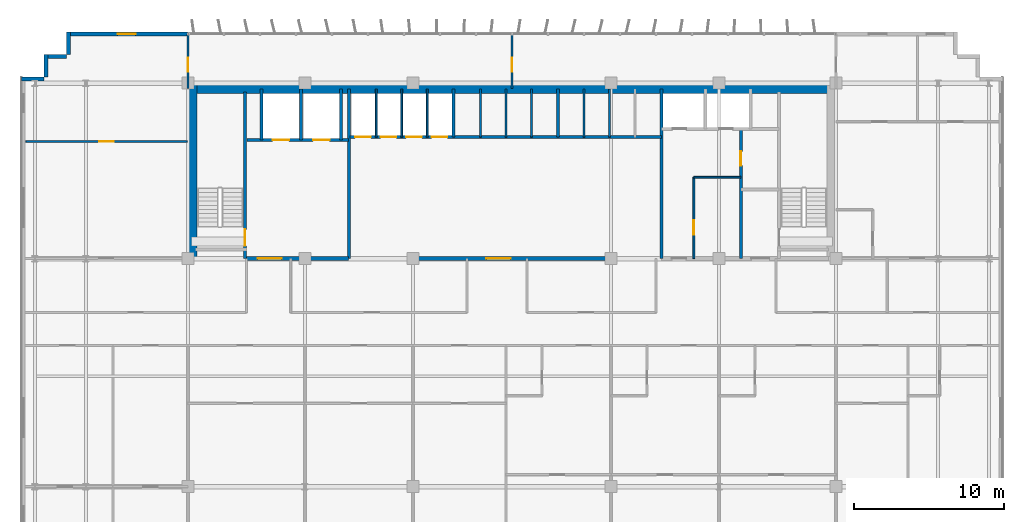
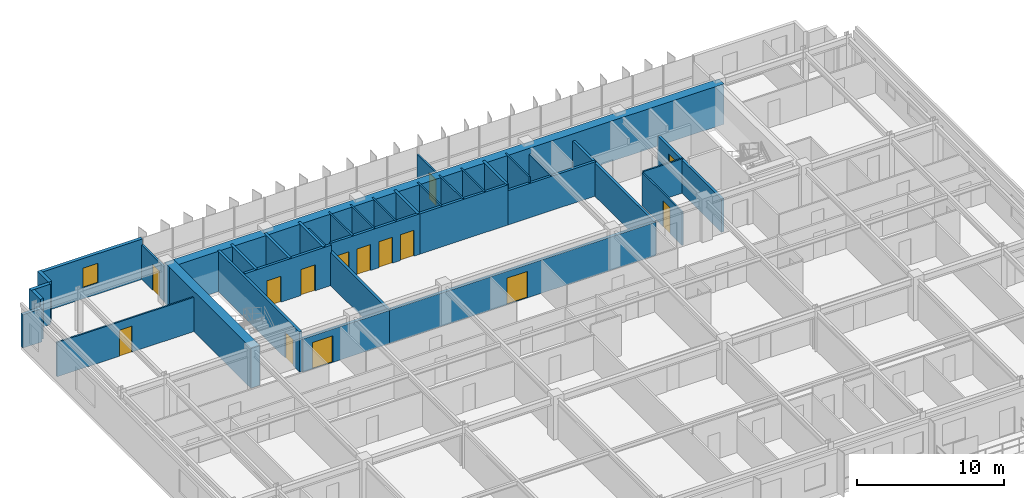
# One storey, part 17 of 22: 35 walls, 14 doors, 1 window, 15 openings.
"""IFC4 building model written with IfcOpenShell, lengths in metres."""

from ifc_helpers import new_model, si_unit, direction, frame, frame_2d, origin, place, context, subcontext, project, spatial, rectangle, extrude, source, transform, mapped, material, layer, layer_set, type_object, element, fill, save


model = new_model("IFC4")

# Units and contexts
model_context = context("Model", 3, precision=1e-05, world=origin(), true_north=direction((0.0, 1.0)))
body_context = subcontext(model_context, "Body", "Model", "MODEL_VIEW")
ifc_project = project(units=[si_unit("LENGTHUNIT", "METRE"), si_unit("AREAUNIT", "SQUARE_METRE"), si_unit("VOLUMEUNIT", "CUBIC_METRE"), si_unit("PLANEANGLEUNIT", "RADIAN"), si_unit("MASSUNIT", "GRAM", prefix="KILO")], contexts=[model_context])

# Site, building, storey
site_placement = place(None, origin())
site = spatial("IfcSite", under=ifc_project, at=site_placement, CompositionType="ELEMENT")
building_placement = place(site_placement, origin())
building = spatial("IfcBuilding", under=site, at=building_placement, Name="Trelvane Seafront Commons", CompositionType="ELEMENT")
storey_placement = place(building_placement, frame((0.0, 0.0, 88.89990234375)))
storey = spatial("IfcBuildingStorey", under=building, at=storey_placement, Name="L22", CompositionType="ELEMENT", Elevation=88.89990234375)

# Wall, opening, window
ifc_material_1 = material(Name="Precast concrete C40/50", Category="concrete")
ifc_layer_1 = layer(ifc_material_1, 0.260009765625, Name="ARCH-WALL-EXT260")
ifc_layer_set_1 = layer_set([ifc_layer_1], Name="Precast concrete C40/50")
wall_type_1 = type_object("IfcWallType", Name="ARCH-WALL-EXT260", PredefinedType="SOLIDWALL", material=ifc_layer_set_1)
wall_1_placement = place(storey_placement, frame((7.60009765625, 48.3701171875, 0.0), z_axis=(0.0, 0.0, 1.0), x_axis=(1.0, 0.0, 0.0)))
wall_1 = element("IfcWall", 1, at=wall_1_placement, inside=storey, type_object=wall_type_1, Name="EW-L22-NW-0391", PredefinedType="SOLIDWALL", context=body_context, shape_type="SweptSolid", body=[
    extrude(rectangle(XDim=8.0, YDim=0.260009765625, at=frame_2d((4.0, 0.0))), origin(), (0.0, 0.0, 1.0), 3.340087890625),
])
opening_1_placement = place(wall_1_placement, frame((3.30810546875, 0.0, 0.89990234375)))
opening_1 = element("IfcOpeningElement", 2, at=opening_1_placement, cuts=wall_1, Name="Opening W05", PredefinedType="OPENING", context=body_context, shape_type="SweptSolid", body=[
    extrude(rectangle(XDim=1.199951171875, YDim=1.64990234375, at=frame_2d((0.60009765625, 0.824951171875))), frame((0.0, 0.139892578125, 0.0), z_axis=(0.0, -1.0, 0.0), x_axis=(1.0, 0.0, 0.0)), (0.0, 0.0, 1.0), 0.280029296875),
])
ifc_material_2 = material(Name="Low-E coastal double glazing", Category="glass")
window_type = type_object("IfcWindowType", Name="ARCH-WIN-W05", PartitioningType="SINGLE_PANEL", PredefinedType="WINDOW", material=ifc_material_2)
shared_shape_1 = source(origin(), body_context, "Body", "SweptSolid", [
    extrude(rectangle(XDim=1.199951171875, YDim=1.64990234375, at=frame_2d((0.60009765625, 0.824951171875))), frame((0.0, 0.030029296875, 0.0), z_axis=(0.0, -1.0, 0.0), x_axis=(1.0, 0.0, 0.0)), (0.0, 0.0, 1.0), 0.06005859375),
])
window_placement = place(opening_1_placement, origin())
window = element("IfcWindow", 3, at=window_placement, inside=storey, type_object=window_type, Name="WIN-L22-00449", OverallHeight=1.64990234375, OverallWidth=1.199951171875, PartitioningType="SINGLE_PANEL", PredefinedType="WINDOW", context=body_context, shape_type="MappedRepresentation", body=[
    mapped(shared_shape_1, transform((0.0, 0.0, 0.0), x_axis=(1.0, 0.0, 0.0), y_axis=(0.0, 1.0, 0.0), z_axis=(0.0, 0.0, 1.0), scale=1.0)),
])
fill(opening_1, window)

# Walls
wall_2_placement = place(storey_placement, frame((4.5, 45.3701171875, 0.0), z_axis=(0.0, 0.0, 1.0), x_axis=(1.0, 0.0, 0.0)))
element("IfcWall", 4, at=wall_2_placement, inside=storey, type_object=wall_type_1, Name="EW-L22-00397", PredefinedType="SOLIDWALL", context=body_context, shape_type="SweptSolid", body=[
    extrude(rectangle(XDim=1.5, YDim=0.260009765625, at=frame_2d((0.75, 0.0))), origin(), (0.0, 0.0, 1.0), 2.752197265625),
])
for number, where, z_axis, x_axis, name in (
    (5, (6.1298828125, 45.5, 0.0), (0.0, 0.0, 1.0), (0.0, 1.0, 0.0), "EW-L22-00398"),
    (6, (6.0, 46.8701171875, 0.0), (0.0, 0.0, 1.0), (1.0, 0.0, 0.0), "EW-L22-00399"),
    (7, (7.6298828125, 47.0, 0.0), (0.0, 0.0, 1.0), (0.0, 1.0, 0.0), "EW-L22-00400"),
):
    element("IfcWall", number, at=place(storey_placement, frame(where, z_axis=z_axis, x_axis=x_axis)), inside=storey, type_object=wall_type_1, Name=name, PredefinedType="SOLIDWALL", context=body_context, shape_type="SweptSolid", body=[
        extrude(rectangle(XDim=1.5, YDim=0.260009765625, at=frame_2d((0.75, 0.0))), origin(), (0.0, 0.0, 1.0), 3.340087890625),
    ])

# Wall, opening, door
ifc_material_3 = material(Name="Concrete C40/50", Category="concrete")
ifc_layer_2 = layer(ifc_material_3, 0.199951171875, Name="ARCH-WALL-FIRE200")
ifc_layer_set_2 = layer_set([ifc_layer_2], Name="Concrete C40/50")
wall_type_2 = type_object("IfcWallType", Name="ARCH-WALL-FIRE200", PredefinedType="PARTITIONING", material=ifc_layer_set_2)
wall_3_placement = place(storey_placement, frame((52.449951171875, 33.39990234375, 0.0), z_axis=(0.0, 0.0, 1.0), x_axis=(0.0, 1.0, 0.0)))
wall_3 = element("IfcWall", 8, at=wall_3_placement, inside=storey, type_object=wall_type_2, Name="W-L22-ST2V-W-033", PredefinedType="PARTITIONING", context=body_context, shape_type="SweptSolid", body=[
    extrude(rectangle(XDim=8.650146484375, YDim=0.199951171875, at=frame_2d((4.3251953125, 0.0))), origin(), (0.0, 0.0, 1.0), 2.752197265625),
])
opening_2_placement = place(wall_3_placement, frame((6.199951171875, 0.0, 0.0)))
opening_2 = element("IfcOpeningElement", 9, at=opening_2_placement, cuts=wall_3, Name="Opening FD-L22-13", PredefinedType="OPENING", context=body_context, shape_type="SweptSolid", body=[
    extrude(rectangle(XDim=0.949951171875, YDim=2.14990234375, at=frame_2d((0.47509765625, 1.074951171875))), frame((0.0, 0.10986328125, 0.0), z_axis=(0.0, -1.0, 0.0), x_axis=(1.0, 0.0, 0.0)), (0.0, 0.0, 1.0), 0.219970703125),
])
ifc_material_4 = material(Name="Powder-coated aluminium frame", Category="aluminium")
door_type_1 = type_object("IfcDoorType", Name="ARCH-DR-FD60-950", OperationType="NOTDEFINED", PredefinedType="DOOR", material=ifc_material_4)
shared_shape_2 = source(origin(), body_context, "Body", "SweptSolid", [
    extrude(rectangle(XDim=0.949951171875, YDim=2.14990234375, at=frame_2d((0.47509765625, 1.074951171875))), frame((0.0, 0.02490234375, 0.0), z_axis=(0.0, -1.0, 0.0), x_axis=(1.0, 0.0, 0.0)), (0.0, 0.0, 1.0), 0.050048828125),
])
door_1_placement = place(opening_2_placement, origin())
door_1 = element("IfcDoor", 10, at=door_1_placement, inside=storey, type_object=door_type_1, Name="L22 Cleaner Store Door", OperationType="SINGLE_SWING_LEFT", OverallHeight=2.14990234375, OverallWidth=0.949951171875, PredefinedType="DOOR", context=body_context, shape_type="MappedRepresentation", body=[
    mapped(shared_shape_2, transform((0.0, 0.0, 0.0), x_axis=(1.0, 0.0, 0.0), y_axis=(0.0, 1.0, 0.0), z_axis=(0.0, 0.0, 1.0), scale=1.0)),
])
fill(opening_2, door_1)

ifc_layer_3 = layer(ifc_material_3, 0.25, Name="ARCH-WALL-FIRE250")
ifc_layer_set_3 = layer_set([ifc_layer_3], Name="Concrete C40/50")
wall_type_3 = type_object("IfcWallType", Name="ARCH-WALL-FIRE250", PredefinedType="PARTITIONING", material=ifc_layer_set_3)
wall_4_placement = place(storey_placement, frame((19.5, 33.39990234375, 0.0), z_axis=(0.0, 0.0, 1.0), x_axis=(1.0, 0.0, 0.0)))
wall_4 = element("IfcWall", 11, at=wall_4_placement, inside=storey, type_object=wall_type_3, Name="W-L22-CS-FFL-013", PredefinedType="PARTITIONING", context=body_context, shape_type="SweptSolid", body=[
    extrude(rectangle(XDim=6.800048828125, YDim=0.25, at=frame_2d((3.39990234375, 0.0))), origin(), (0.0, 0.0, 1.0), 2.752197265625),
])
opening_3_placement = place(wall_4_placement, frame((0.75, 0.0, 0.0)))
opening_3 = element("IfcOpeningElement", 12, at=opening_3_placement, cuts=wall_4, Name="Opening FD-L22-05", PredefinedType="OPENING", context=body_context, shape_type="SweptSolid", body=[
    extrude(rectangle(XDim=1.60009765625, YDim=2.199951171875, at=frame_2d((0.800048828125, 1.10009765625))), frame((0.0, 0.135009765625, 0.0), z_axis=(0.0, -1.0, 0.0), x_axis=(1.0, 0.0, 0.0)), (0.0, 0.0, 1.0), 0.27001953125),
])
door_type_2 = type_object("IfcDoorType", Name="ARCH-DR-FD60-1600", OperationType="DOUBLE_DOOR_SINGLE_SWING", PredefinedType="DOOR", material=ifc_material_4)
shared_shape_3 = source(origin(), body_context, "Body", "SweptSolid", [
    extrude(rectangle(XDim=1.60009765625, YDim=2.199951171875, at=frame_2d((0.800048828125, 1.10009765625))), frame((0.0, 0.02490234375, 0.0), z_axis=(0.0, -1.0, 0.0), x_axis=(1.0, 0.0, 0.0)), (0.0, 0.0, 1.0), 0.050048828125),
])
door_2_placement = place(opening_3_placement, origin())
door_2 = element("IfcDoor", 13, at=door_2_placement, inside=storey, type_object=door_type_2, Name="L22 Firefighting Lift Lobby Double Fire Door", OperationType="DOUBLE_DOOR_SINGLE_SWING", OverallHeight=2.199951171875, OverallWidth=1.60009765625, PredefinedType="DOOR", context=body_context, shape_type="MappedRepresentation", body=[
    mapped(shared_shape_3, transform((0.0, 0.0, 0.0), x_axis=(1.0, 0.0, 0.0), y_axis=(0.0, 1.0, 0.0), z_axis=(0.0, 0.0, 1.0), scale=1.0)),
])
fill(opening_3, door_2)

wall_5_placement = place(storey_placement, frame((26.300048828125, 33.39990234375, 0.0), z_axis=(0.0, 0.0, 1.0), x_axis=(1.0, 0.0, 0.0)))
wall_5 = element("IfcWall", 14, at=wall_5_placement, inside=storey, type_object=wall_type_3, Name="W-L22-CS-PAX-029", PredefinedType="PARTITIONING", context=body_context, shape_type="SweptSolid", body=[
    extrude(rectangle(XDim=20.849853515625, YDim=0.25, at=frame_2d((10.4248046875, 0.0))), origin(), (0.0, 0.0, 1.0), 2.752197265625),
])
opening_4_placement = place(wall_5_placement, frame((9.199951171875, 0.0, 0.0)))
opening_4 = element("IfcOpeningElement", 15, at=opening_4_placement, cuts=wall_5, Name="Opening FD-L22-10", PredefinedType="OPENING", context=body_context, shape_type="SweptSolid", body=[
    extrude(rectangle(XDim=1.60009765625, YDim=2.199951171875, at=frame_2d((0.800048828125, 1.10009765625))), frame((0.0, 0.135009765625, 0.0), z_axis=(0.0, -1.0, 0.0), x_axis=(1.0, 0.0, 0.0)), (0.0, 0.0, 1.0), 0.27001953125),
])
door_3_placement = place(opening_4_placement, origin())
door_3 = element("IfcDoor", 16, at=door_3_placement, inside=storey, type_object=door_type_2, Name="L22 Passenger Lift Lobby Double Door", OperationType="DOUBLE_DOOR_SINGLE_SWING", OverallHeight=2.199951171875, OverallWidth=1.60009765625, PredefinedType="DOOR", context=body_context, shape_type="MappedRepresentation", body=[
    mapped(shared_shape_3, transform((0.0, 0.0, 0.0), x_axis=(1.0, 0.0, 0.0), y_axis=(0.0, 1.0, 0.0), z_axis=(0.0, 0.0, 1.0), scale=1.0)),
])
fill(opening_4, door_3)

# Walls
ifc_material_5 = material(Name="Gypsum Drywall Acoustic Partition")
ifc_layer_4 = layer(ifc_material_5, 0.1201171875, Name="ARCH-WALL-PART120")
ifc_layer_set_4 = layer_set([ifc_layer_4], Name="Gypsum Drywall Acoustic Partition")
wall_type_4 = type_object("IfcWallType", Name="ARCH-WALL-PART120", PredefinedType="PARTITIONING", material=ifc_layer_set_4)
for number, where, z_axis, x_axis, name in (
    (17, (28.14990234375, 41.5, 0.0), (0.0, 0.0, 1.0), (0.0, 1.0, 0.0), "W-L22-PL-DIV1-016"),
    (18, (29.85009765625, 41.5, 0.0), (0.0, 0.0, 1.0), (0.0, 1.0, 0.0), "W-L22-PL-DIV2-017"),
    (19, (31.550048828125, 41.5, 0.0), (0.0, 0.0, 1.0), (0.0, 1.0, 0.0), "W-L22-PL-DIV3-018"),
    (20, (35.10009765625, 41.5, 0.0), (0.0, 0.0, 1.0), (0.0, 1.0, 0.0), "W-L22-PM-DIV1-020"),
    (21, (36.800048828125, 41.5, 0.0), (0.0, 0.0, 1.0), (0.0, 1.0, 0.0), "W-L22-PM-DIV2-021"),
    (22, (38.5, 41.5, 0.0), (0.0, 0.0, 1.0), (0.0, 1.0, 0.0), "W-L22-PM-DIV3-022"),
    (23, (42.0, 41.5, 0.0), (0.0, 0.0, 1.0), (0.0, 1.0, 0.0), "W-L22-PH-DIV1-025"),
):
    element("IfcWall", number, at=place(storey_placement, frame(where, z_axis=z_axis, x_axis=x_axis)), inside=storey, type_object=wall_type_4, Name=name, PredefinedType="PARTITIONING", context=body_context, shape_type="SweptSolid", body=[
        extrude(rectangle(XDim=3.199951171875, YDim=0.1201171875, at=frame_2d((1.60009765625, 0.0))), origin(), (0.0, 0.0, 1.0), 3.340087890625),
    ])
wall_6_placement = place(storey_placement, frame((43.699951171875, 41.5, 0.0), z_axis=(0.0, 0.0, 1.0), x_axis=(0.0, 1.0, 0.0)))
element("IfcWall", 24, at=wall_6_placement, inside=storey, type_object=wall_type_4, Name="W-L22-PH-DIV2-026", PredefinedType="PARTITIONING", context=body_context, shape_type="SweptSolid", body=[
    extrude(rectangle(XDim=3.199951171875, YDim=0.1201171875, at=frame_2d((1.60009765625, 0.0))), origin(), (0.0, 0.0, 1.0), 2.840087890625),
])

# Wall, opening, door
wall_7_placement = place(storey_placement, frame((49.320068359375, 33.39990234375, 0.0), z_axis=(0.0, 0.0, 1.0), x_axis=(0.0, 1.0, 0.0)))
wall_7 = element("IfcWall", 25, at=wall_7_placement, inside=storey, type_object=wall_type_4, Name="W-L22-CYC2-V-035", PredefinedType="PARTITIONING", context=body_context, shape_type="SweptSolid", body=[
    extrude(rectangle(XDim=5.420166015625, YDim=0.1201171875, at=frame_2d((2.7099609375, 0.0))), origin(), (0.0, 0.0, 1.0), 2.752197265625),
])
opening_5_placement = place(wall_7_placement, frame((1.60009765625, 0.0, 0.0)))
opening_5 = element("IfcOpeningElement", 26, at=opening_5_placement, cuts=wall_7, Name="Opening D-L22-14", PredefinedType="OPENING", context=body_context, shape_type="SweptSolid", body=[
    extrude(rectangle(XDim=0.949951171875, YDim=2.14990234375, at=frame_2d((0.47509765625, 1.074951171875))), frame((0.0, 0.070068359375, 0.0), z_axis=(0.0, -1.0, 0.0), x_axis=(1.0, 0.0, 0.0)), (0.0, 0.0, 1.0), 0.14013671875),
])
ifc_material_6 = material(Name="Acoustic timber door leaf", Category="wood")
door_type_3 = type_object("IfcDoorType", Name="ARCH-DR-INT950", OperationType="NOTDEFINED", PredefinedType="DOOR", material=ifc_material_6)
door_4_placement = place(opening_5_placement, origin())
door_4 = element("IfcDoor", 27, at=door_4_placement, inside=storey, type_object=door_type_3, Name="L22 Accessible WC Door", OperationType="SINGLE_SWING_RIGHT", OverallHeight=2.14990234375, OverallWidth=0.949951171875, PredefinedType="DOOR", context=body_context, shape_type="MappedRepresentation", body=[
    mapped(shared_shape_2, transform((0.0, 0.0, 0.0), x_axis=(1.0, 0.0, 0.0), y_axis=(0.0, 1.0, 0.0), z_axis=(0.0, 0.0, 1.0), scale=1.0)),
])
fill(opening_5, door_4)

# Wall
wall_8_placement = place(storey_placement, frame((49.320068359375, 38.820068359375, 0.0), z_axis=(0.0, 0.0, 1.0), x_axis=(1.0, 0.0, 0.0)))
element("IfcWall", 28, at=wall_8_placement, inside=storey, type_object=wall_type_4, Name="W-L22-CYC2-H-036", PredefinedType="PARTITIONING", context=body_context, shape_type="SweptSolid", body=[
    extrude(rectangle(XDim=3.1298828125, YDim=0.1201171875, at=frame_2d((1.56494140625, 0.0))), origin(), (0.0, 0.0, 1.0), 2.840087890625),
])

# Wall, opening, door
wall_9_placement = place(storey_placement, frame((4.800048828125, 41.199951171875, 0.0), z_axis=(0.0, 0.0, 1.0), x_axis=(1.0, 0.0, 0.0)))
wall_9 = element("IfcWall", 29, at=wall_9_placement, inside=storey, type_object=wall_type_4, Name="W-L22-NW-LGDV-049", PredefinedType="PARTITIONING", context=body_context, shape_type="SweptSolid", body=[
    extrude(rectangle(XDim=10.75, YDim=0.1201171875, at=frame_2d((5.375, 0.0))), origin(), (0.0, 0.0, 1.0), 2.840087890625),
])
opening_6_placement = place(wall_9_placement, frame((4.89990234375, 0.0, 0.0)))
opening_6 = element("IfcOpeningElement", 30, at=opening_6_placement, cuts=wall_9, Name="Opening D-L22-22", PredefinedType="OPENING", context=body_context, shape_type="SweptSolid", body=[
    extrude(rectangle(XDim=0.949951171875, YDim=2.14990234375, at=frame_2d((0.47509765625, 1.074951171875))), frame((0.0, 0.070068359375, 0.0), z_axis=(0.0, -1.0, 0.0), x_axis=(1.0, 0.0, 0.0)), (0.0, 0.0, 1.0), 0.14013671875),
])
door_5_placement = place(opening_6_placement, origin())
door_5 = element("IfcDoor", 31, at=door_5_placement, inside=storey, type_object=door_type_3, Name="L22 Door 22", OperationType="SINGLE_SWING_RIGHT", OverallHeight=2.14990234375, OverallWidth=0.949951171875, PredefinedType="DOOR", context=body_context, shape_type="MappedRepresentation", body=[
    mapped(shared_shape_2, transform((0.0, 0.0, 0.0), x_axis=(1.0, 0.0, 0.0), y_axis=(0.0, 1.0, 0.0), z_axis=(0.0, 0.0, 1.0), scale=1.0)),
])
fill(opening_6, door_5)

wall_10_placement = place(storey_placement, frame((37.199951171875, 44.75, 0.0), z_axis=(0.0, 0.0, 1.0), x_axis=(0.0, 1.0, 0.0)))
wall_10 = element("IfcWall", 32, at=wall_10_placement, inside=storey, type_object=wall_type_4, Name="W-L22-N-MID-DV-057", PredefinedType="PARTITIONING", context=body_context, shape_type="SweptSolid", body=[
    extrude(rectangle(XDim=3.610107421875, YDim=0.1201171875, at=frame_2d((1.80517578125, 0.0))), origin(), (0.0, 0.0, 1.0), 2.752197265625),
])
opening_7_placement = place(wall_10_placement, frame((1.10009765625, 0.0, 0.0)))
opening_7 = element("IfcOpeningElement", 33, at=opening_7_placement, cuts=wall_10, Name="Opening D-L22-28", PredefinedType="OPENING", context=body_context, shape_type="SweptSolid", body=[
    extrude(rectangle(XDim=0.949951171875, YDim=2.14990234375, at=frame_2d((0.47509765625, 1.074951171875))), frame((0.0, 0.070068359375, 0.0), z_axis=(0.0, -1.0, 0.0), x_axis=(1.0, 0.0, 0.0)), (0.0, 0.0, 1.0), 0.14013671875),
])
door_6_placement = place(opening_7_placement, origin())
door_6 = element("IfcDoor", 34, at=door_6_placement, inside=storey, type_object=door_type_3, Name="L22 Door 28", OperationType="SINGLE_SWING_RIGHT", OverallHeight=2.14990234375, OverallWidth=0.949951171875, PredefinedType="DOOR", context=body_context, shape_type="MappedRepresentation", body=[
    mapped(shared_shape_2, transform((0.0, 0.0, 0.0), x_axis=(1.0, 0.0, 0.0), y_axis=(0.0, 1.0, 0.0), z_axis=(0.0, 0.0, 1.0), scale=1.0)),
])
fill(opening_7, door_6)

ifc_layer_5 = layer(ifc_material_5, 0.14990234375, Name="ARCH-WALL-PART150")
ifc_layer_set_5 = layer_set([ifc_layer_5], Name="Gypsum Drywall Acoustic Partition")
wall_type_5 = type_object("IfcWallType", Name="ARCH-WALL-PART150", PredefinedType="PARTITIONING", material=ifc_layer_set_5)
wall_11_placement = place(storey_placement, frame((15.60009765625, 44.75, 0.0), z_axis=(0.0, 0.0, 1.0), x_axis=(0.0, 1.0, 0.0)))
wall_11 = element("IfcWall", 35, at=wall_11_placement, inside=storey, type_object=wall_type_5, Name="W-L22-N-LINK-W-058", PredefinedType="PARTITIONING", context=body_context, shape_type="SweptSolid", body=[
    extrude(rectangle(XDim=3.610107421875, YDim=0.14990234375, at=frame_2d((1.80517578125, 0.0))), origin(), (0.0, 0.0, 1.0), 2.840087890625),
])
opening_8_placement = place(wall_11_placement, frame((1.10009765625, 0.0, 0.0)))
opening_8 = element("IfcOpeningElement", 36, at=opening_8_placement, cuts=wall_11, Name="Opening FD-L22-29", PredefinedType="OPENING", context=body_context, shape_type="SweptSolid", body=[
    extrude(rectangle(XDim=0.949951171875, YDim=2.14990234375, at=frame_2d((0.47509765625, 1.074951171875))), frame((0.0, 0.0849609375, 0.0), z_axis=(0.0, -1.0, 0.0), x_axis=(1.0, 0.0, 0.0)), (0.0, 0.0, 1.0), 0.169921875),
])
door_7_placement = place(opening_8_placement, origin())
door_7 = element("IfcDoor", 37, at=door_7_placement, inside=storey, type_object=door_type_1, Name="L22 Door 29", OperationType="SINGLE_SWING_LEFT", OverallHeight=2.14990234375, OverallWidth=0.949951171875, PredefinedType="DOOR", context=body_context, shape_type="MappedRepresentation", body=[
    mapped(shared_shape_2, transform((0.0, 0.0, 0.0), x_axis=(1.0, 0.0, 0.0), y_axis=(0.0, 1.0, 0.0), z_axis=(0.0, 0.0, 1.0), scale=1.0)),
])
fill(opening_8, door_7)

# Wall, openings, doors
ifc_layer_6 = layer(ifc_material_3, 0.199951171875, Name="ARCH-WALL-SHAFT200")
ifc_layer_set_6 = layer_set([ifc_layer_6], Name="Concrete C40/50")
wall_type_6 = type_object("IfcWallType", Name="ARCH-WALL-SHAFT200", PredefinedType="SOLIDWALL", material=ifc_layer_set_6)
wall_12_placement = place(storey_placement, frame((19.550048828125, 41.300048828125, 0.0), z_axis=(0.0, 0.0, 1.0), x_axis=(1.0, 0.0, 0.0)))
wall_12 = element("IfcWall", 38, at=wall_12_placement, inside=storey, type_object=wall_type_6, Name="W-L22-FFL-FRONT-008", PredefinedType="SOLIDWALL", context=body_context, shape_type="SweptSolid", body=[
    extrude(rectangle(XDim=6.75, YDim=0.199951171875, at=frame_2d((3.375, 0.0))), origin(), (0.0, 0.0, 1.0), 3.340087890625),
])
opening_9_placement = place(wall_12_placement, frame((1.699951171875, 0.0, 0.0)))
opening_9 = element("IfcOpeningElement", 39, at=opening_9_placement, cuts=wall_12, Name="Opening LD-FF1-L22", PredefinedType="OPENING", context=body_context, shape_type="SweptSolid", body=[
    extrude(rectangle(XDim=1.10009765625, YDim=2.14990234375, at=frame_2d((0.550048828125, 1.074951171875))), frame((0.0, 0.10986328125, 0.0), z_axis=(0.0, -1.0, 0.0), x_axis=(1.0, 0.0, 0.0)), (0.0, 0.0, 1.0), 0.219970703125),
])
opening_10_placement = place(wall_12_placement, frame((4.39990234375, 0.0, 0.0)))
opening_10 = element("IfcOpeningElement", 40, at=opening_10_placement, cuts=wall_12, Name="Opening LD-FF2-L22", PredefinedType="OPENING", context=body_context, shape_type="SweptSolid", body=[
    extrude(rectangle(XDim=1.10009765625, YDim=2.14990234375, at=frame_2d((0.550048828125, 1.074951171875))), frame((0.0, 0.10986328125, 0.0), z_axis=(0.0, -1.0, 0.0), x_axis=(1.0, 0.0, 0.0)), (0.0, 0.0, 1.0), 0.219970703125),
])
ifc_material_7 = material(Name="Stainless steel balustrade", Category="steel")
door_type_4 = type_object("IfcDoorType", Name="ARCH-DR-LD1100", OperationType="DOUBLE_DOOR_SLIDING", PredefinedType="DOOR", material=ifc_material_7)
shared_shape_4 = source(origin(), body_context, "Body", "SweptSolid", [
    extrude(rectangle(XDim=1.10009765625, YDim=2.14990234375, at=frame_2d((0.550048828125, 1.074951171875))), frame((0.0, 0.02490234375, 0.0), z_axis=(0.0, -1.0, 0.0), x_axis=(1.0, 0.0, 0.0)), (0.0, 0.0, 1.0), 0.050048828125),
])
door_8_placement = place(opening_9_placement, origin())
door_8 = element("IfcDoor", 41, at=door_8_placement, inside=storey, type_object=door_type_4, Name="L22 Firefighting Lift FFL-1 Landing Door", OperationType="DOUBLE_DOOR_SLIDING", OverallHeight=2.14990234375, OverallWidth=1.10009765625, PredefinedType="DOOR", context=body_context, shape_type="MappedRepresentation", body=[
    mapped(shared_shape_4, transform((0.0, 0.0, 0.0), x_axis=(1.0, 0.0, 0.0), y_axis=(0.0, 1.0, 0.0), z_axis=(0.0, 0.0, 1.0), scale=1.0)),
])
fill(opening_9, door_8)
door_9_placement = place(opening_10_placement, origin())
door_9 = element("IfcDoor", 42, at=door_9_placement, inside=storey, type_object=door_type_4, Name="L22 Firefighting Lift FFL-2 Landing Door", OperationType="DOUBLE_DOOR_SLIDING", OverallHeight=2.14990234375, OverallWidth=1.10009765625, PredefinedType="DOOR", context=body_context, shape_type="MappedRepresentation", body=[
    mapped(shared_shape_4, transform((0.0, 0.0, 0.0), x_axis=(1.0, 0.0, 0.0), y_axis=(0.0, 1.0, 0.0), z_axis=(0.0, 0.0, 1.0), scale=1.0)),
])
fill(opening_10, door_9)

# Walls
for number, where, z_axis, x_axis, name in (
    (43, (20.5, 41.300048828125, 0.0), (0.0, 0.0, 1.0), (0.0, 1.0, 0.0), "W-L22-FFL-SH-W-009"),
    (44, (23.14990234375, 41.300048828125, 0.0), (0.0, 0.0, 1.0), (0.0, 1.0, 0.0), "W-L22-FFL-DIV-010"),
    (45, (25.800048828125, 41.300048828125, 0.0), (0.0, 0.0, 1.0), (0.0, 1.0, 0.0), "W-L22-FFL-SH-E-011"),
):
    element("IfcWall", number, at=place(storey_placement, frame(where, z_axis=z_axis, x_axis=x_axis)), inside=storey, type_object=wall_type_6, Name=name, PredefinedType="SOLIDWALL", context=body_context, shape_type="SweptSolid", body=[
        extrude(rectangle(XDim=3.39990234375, YDim=0.199951171875, at=frame_2d((1.699951171875, 0.0))), origin(), (0.0, 0.0, 1.0), 3.340087890625),
    ])
wall_13_placement = place(storey_placement, frame((26.35009765625, 33.39990234375, 0.0), z_axis=(0.0, 0.0, 1.0), x_axis=(0.0, 1.0, 0.0)))
element("IfcWall", 46, at=wall_13_placement, inside=storey, type_object=wall_type_6, Name="W-L22-FFL-EAST-012", PredefinedType="SOLIDWALL", context=body_context, shape_type="SweptSolid", body=[
    extrude(rectangle(XDim=11.300048828125, YDim=0.199951171875, at=frame_2d((5.64990234375, 0.0))), origin(), (0.0, 0.0, 1.0), 2.752197265625),
])

# Wall, openings, doors
wall_14_placement = place(storey_placement, frame((26.39990234375, 41.5, 0.0), z_axis=(0.0, 0.0, 1.0), x_axis=(1.0, 0.0, 0.0)))
wall_14 = element("IfcWall", 47, at=wall_14_placement, inside=storey, type_object=wall_type_6, Name="W-L22-PL-FRONT-014", PredefinedType="SOLIDWALL", context=body_context, shape_type="SweptSolid", body=[
    extrude(rectangle(XDim=6.9501953125, YDim=0.199951171875, at=frame_2d((3.47509765625, 0.0))), origin(), (0.0, 0.0, 1.0), 3.340087890625),
])
opening_11_placement = place(wall_14_placement, frame((0.35009765625, 0.0, 0.0)))
opening_11 = element("IfcOpeningElement", 48, at=opening_11_placement, cuts=wall_14, Name="Opening LD-PL1-L22", PredefinedType="OPENING", context=body_context, shape_type="SweptSolid", body=[
    extrude(rectangle(XDim=1.050048828125, YDim=2.14990234375, at=frame_2d((0.52490234375, 1.074951171875))), frame((0.0, 0.10986328125, 0.0), z_axis=(0.0, -1.0, 0.0), x_axis=(1.0, 0.0, 0.0)), (0.0, 0.0, 1.0), 0.219970703125),
])
opening_12_placement = place(wall_14_placement, frame((2.050048828125, 0.0, 0.0)))
opening_12 = element("IfcOpeningElement", 49, at=opening_12_placement, cuts=wall_14, Name="Opening LD-PL2-L22", PredefinedType="OPENING", context=body_context, shape_type="SweptSolid", body=[
    extrude(rectangle(XDim=1.050048828125, YDim=2.14990234375, at=frame_2d((0.52490234375, 1.074951171875))), frame((0.0, 0.10986328125, 0.0), z_axis=(0.0, -1.0, 0.0), x_axis=(1.0, 0.0, 0.0)), (0.0, 0.0, 1.0), 0.219970703125),
])
opening_13_placement = place(wall_14_placement, frame((3.75, 0.0, 0.0)))
opening_13 = element("IfcOpeningElement", 50, at=opening_13_placement, cuts=wall_14, Name="Opening LD-PL3-L22", PredefinedType="OPENING", context=body_context, shape_type="SweptSolid", body=[
    extrude(rectangle(XDim=1.050048828125, YDim=2.14990234375, at=frame_2d((0.52490234375, 1.074951171875))), frame((0.0, 0.10986328125, 0.0), z_axis=(0.0, -1.0, 0.0), x_axis=(1.0, 0.0, 0.0)), (0.0, 0.0, 1.0), 0.219970703125),
])
opening_14_placement = place(wall_14_placement, frame((5.449951171875, 0.0, 0.0)))
opening_14 = element("IfcOpeningElement", 51, at=opening_14_placement, cuts=wall_14, Name="Opening LD-PL4-L22", PredefinedType="OPENING", context=body_context, shape_type="SweptSolid", body=[
    extrude(rectangle(XDim=1.050048828125, YDim=2.14990234375, at=frame_2d((0.52490234375, 1.074951171875))), frame((0.0, 0.10986328125, 0.0), z_axis=(0.0, -1.0, 0.0), x_axis=(1.0, 0.0, 0.0)), (0.0, 0.0, 1.0), 0.219970703125),
])
door_type_5 = type_object("IfcDoorType", Name="ARCH-DR-LD1050", OperationType="DOUBLE_DOOR_SLIDING", PredefinedType="DOOR", material=ifc_material_7)
shared_shape_5 = source(origin(), body_context, "Body", "SweptSolid", [
    extrude(rectangle(XDim=1.050048828125, YDim=2.14990234375, at=frame_2d((0.52490234375, 1.074951171875))), frame((0.0, 0.02490234375, 0.0), z_axis=(0.0, -1.0, 0.0), x_axis=(1.0, 0.0, 0.0)), (0.0, 0.0, 1.0), 0.050048828125),
])
door_10_placement = place(opening_11_placement, origin())
door_10 = element("IfcDoor", 52, at=door_10_placement, inside=storey, type_object=door_type_5, Name="L22 Passenger Lift PL-1 Landing Door", OperationType="DOUBLE_DOOR_SLIDING", OverallHeight=2.14990234375, OverallWidth=1.050048828125, PredefinedType="DOOR", context=body_context, shape_type="MappedRepresentation", body=[
    mapped(shared_shape_5, transform((0.0, 0.0, 0.0), x_axis=(1.0, 0.0, 0.0), y_axis=(0.0, 1.0, 0.0), z_axis=(0.0, 0.0, 1.0), scale=1.0)),
])
fill(opening_11, door_10)
door_11_placement = place(opening_12_placement, origin())
door_11 = element("IfcDoor", 53, at=door_11_placement, inside=storey, type_object=door_type_5, Name="L22 Passenger Lift PL-2 Landing Door", OperationType="DOUBLE_DOOR_SLIDING", OverallHeight=2.14990234375, OverallWidth=1.050048828125, PredefinedType="DOOR", context=body_context, shape_type="MappedRepresentation", body=[
    mapped(shared_shape_5, transform((0.0, 0.0, 0.0), x_axis=(1.0, 0.0, 0.0), y_axis=(0.0, 1.0, 0.0), z_axis=(0.0, 0.0, 1.0), scale=1.0)),
])
fill(opening_12, door_11)
door_12_placement = place(opening_13_placement, origin())
door_12 = element("IfcDoor", 54, at=door_12_placement, inside=storey, type_object=door_type_5, Name="L22 Passenger Lift PL-3 Landing Door", OperationType="DOUBLE_DOOR_SLIDING", OverallHeight=2.14990234375, OverallWidth=1.050048828125, PredefinedType="DOOR", context=body_context, shape_type="MappedRepresentation", body=[
    mapped(shared_shape_5, transform((0.0, 0.0, 0.0), x_axis=(1.0, 0.0, 0.0), y_axis=(0.0, 1.0, 0.0), z_axis=(0.0, 0.0, 1.0), scale=1.0)),
])
fill(opening_13, door_12)
door_13_placement = place(opening_14_placement, origin())
door_13 = element("IfcDoor", 55, at=door_13_placement, inside=storey, type_object=door_type_5, Name="L22 Passenger Lift PL-4 Landing Door", OperationType="DOUBLE_DOOR_SLIDING", OverallHeight=2.14990234375, OverallWidth=1.050048828125, PredefinedType="DOOR", context=body_context, shape_type="MappedRepresentation", body=[
    mapped(shared_shape_5, transform((0.0, 0.0, 0.0), x_axis=(1.0, 0.0, 0.0), y_axis=(0.0, 1.0, 0.0), z_axis=(0.0, 0.0, 1.0), scale=1.0)),
])
fill(opening_14, door_13)

# Walls
wall_15_placement = place(storey_placement, frame((33.300048828125, 41.5, 0.0), z_axis=(0.0, 0.0, 1.0), x_axis=(0.0, 1.0, 0.0)))
element("IfcWall", 56, at=wall_15_placement, inside=storey, type_object=wall_type_6, Name="W-L22-PL-EAST-SH-015", PredefinedType="SOLIDWALL", context=body_context, shape_type="SweptSolid", body=[
    extrude(rectangle(XDim=3.199951171875, YDim=0.199951171875, at=frame_2d((1.60009765625, 0.0))), origin(), (0.0, 0.0, 1.0), 3.340087890625),
])
wall_16_placement = place(storey_placement, frame((33.35009765625, 41.5, 0.0), z_axis=(0.0, 0.0, 1.0), x_axis=(1.0, 0.0, 0.0)))
element("IfcWall", 57, at=wall_16_placement, inside=storey, type_object=wall_type_6, Name="W-L22-PM-FRONT-019", PredefinedType="SOLIDWALL", context=body_context, shape_type="SweptSolid", body=[
    extrude(rectangle(XDim=6.89990234375, YDim=0.199951171875, at=frame_2d((3.449951171875, 0.0))), origin(), (0.0, 0.0, 1.0), 3.340087890625),
])
wall_17_placement = place(storey_placement, frame((40.25, 41.5, 0.0), z_axis=(0.0, 0.0, 1.0), x_axis=(1.0, 0.0, 0.0)))
element("IfcWall", 58, at=wall_17_placement, inside=storey, type_object=wall_type_6, Name="W-L22-PH-FRONT-023", PredefinedType="SOLIDWALL", context=body_context, shape_type="SweptSolid", body=[
    extrude(rectangle(XDim=6.89990234375, YDim=0.199951171875, at=frame_2d((3.449951171875, 0.0))), origin(), (0.0, 0.0, 1.0), 2.840087890625),
])
wall_18_placement = place(storey_placement, frame((40.25, 41.5, 0.0), z_axis=(0.0, 0.0, 1.0), x_axis=(0.0, 1.0, 0.0)))
element("IfcWall", 59, at=wall_18_placement, inside=storey, type_object=wall_type_6, Name="W-L22-PH-WEST-SH-024", PredefinedType="SOLIDWALL", context=body_context, shape_type="SweptSolid", body=[
    extrude(rectangle(XDim=3.199951171875, YDim=0.199951171875, at=frame_2d((1.60009765625, 0.0))), origin(), (0.0, 0.0, 1.0), 3.340087890625),
])
wall_19_placement = place(storey_placement, frame((47.14990234375, 33.39990234375, 0.0), z_axis=(0.0, 0.0, 1.0), x_axis=(0.0, 1.0, 0.0)))
element("IfcWall", 60, at=wall_19_placement, inside=storey, type_object=wall_type_6, Name="W-L22-PH-EAST-028", PredefinedType="SOLIDWALL", context=body_context, shape_type="SweptSolid", body=[
    extrude(rectangle(XDim=11.300048828125, YDim=0.199951171875, at=frame_2d((5.64990234375, 0.0))), origin(), (0.0, 0.0, 1.0), 2.752197265625),
])
ifc_material_8 = material(Name="Concrete C60/75", Category="concrete")
ifc_layer_7 = layer(ifc_material_8, 0.699951171875, Name="STR-WALL-CORE700")
ifc_layer_set_7 = layer_set([ifc_layer_7], Name="Concrete C60/75")
wall_type_7 = type_object("IfcWallType", Name="STR-WALL-CORE700", PredefinedType="SHEAR", material=ifc_layer_set_7)
wall_20_placement = place(storey_placement, frame((15.5, 44.75, 0.0), z_axis=(0.0, 0.0, 1.0), x_axis=(1.0, 0.0, 0.0)))
element("IfcWall", 61, at=wall_20_placement, inside=storey, type_object=wall_type_7, Name="W-L22-CN-ALL-001", PredefinedType="SHEAR", context=body_context, shape_type="SweptSolid", body=[
    extrude(rectangle(XDim=43.39990234375, YDim=0.699951171875, at=frame_2d((21.699951171875, 0.0))), origin(), (0.0, 0.0, 1.0), 3.340087890625),
])
wall_21_placement = place(storey_placement, frame((15.85009765625, 33.39990234375, 0.0), z_axis=(0.0, 0.0, 1.0), x_axis=(0.0, 1.0, 0.0)))
element("IfcWall", 62, at=wall_21_placement, inside=storey, type_object=wall_type_7, Name="W-L22-CW-END-002", PredefinedType="SHEAR", context=body_context, shape_type="SweptSolid", body=[
    extrude(rectangle(XDim=11.7001953125, YDim=0.699951171875, at=frame_2d((5.85009765625, 0.0))), origin(), (0.0, 0.0, 1.0), 3.340087890625),
])

# Wall, opening, door
ifc_material_9 = material(Name="Concrete C50/60", Category="concrete")
ifc_layer_8 = layer(ifc_material_9, 0.199951171875, Name="STR-WALL-STAIR200")
ifc_layer_set_8 = layer_set([ifc_layer_8], Name="Concrete C50/60")
wall_type_8 = type_object("IfcWallType", Name="STR-WALL-STAIR200", PredefinedType="SHEAR", material=ifc_layer_set_8)
wall_22_placement = place(storey_placement, frame((19.39990234375, 33.39990234375, 0.0), z_axis=(0.0, 0.0, 1.0), x_axis=(0.0, 1.0, 0.0)))
wall_22 = element("IfcWall", 63, at=wall_22_placement, inside=storey, type_object=wall_type_8, Name="W-L22-ST1-E-005", PredefinedType="SHEAR", context=body_context, shape_type="SweptSolid", body=[
    extrude(rectangle(XDim=11.10009765625, YDim=0.199951171875, at=frame_2d((5.550048828125, 0.0))), origin(), (0.0, 0.0, 1.0), 3.340087890625),
])
opening_15_placement = place(wall_22_placement, frame((0.85009765625, 0.0, 0.0)))
opening_15 = element("IfcOpeningElement", 64, at=opening_15_placement, cuts=wall_22, Name="Opening ST-D1-L22", PredefinedType="OPENING", context=body_context, shape_type="SweptSolid", body=[
    extrude(rectangle(XDim=1.10009765625, YDim=2.14990234375, at=frame_2d((0.550048828125, 1.074951171875))), frame((0.0, 0.10986328125, 0.0), z_axis=(0.0, -1.0, 0.0), x_axis=(1.0, 0.0, 0.0)), (0.0, 0.0, 1.0), 0.219970703125),
])
door_type_6 = type_object("IfcDoorType", Name="ARCH-DR-FD90-1100", OperationType="NOTDEFINED", PredefinedType="DOOR", material=ifc_material_4)
door_14_placement = place(opening_15_placement, origin())
door_14 = element("IfcDoor", 65, at=door_14_placement, inside=storey, type_object=door_type_6, Name="L22 Stair ST-1 Lobby Fire Door", OperationType="SINGLE_SWING_LEFT", OverallHeight=2.14990234375, OverallWidth=1.10009765625, PredefinedType="DOOR", context=body_context, shape_type="MappedRepresentation", body=[
    mapped(shared_shape_4, transform((0.0, 0.0, 0.0), x_axis=(1.0, 0.0, 0.0), y_axis=(0.0, 1.0, 0.0), z_axis=(0.0, 0.0, 1.0), scale=1.0)),
])
fill(opening_15, door_14)

save(model, "model.ifc")
